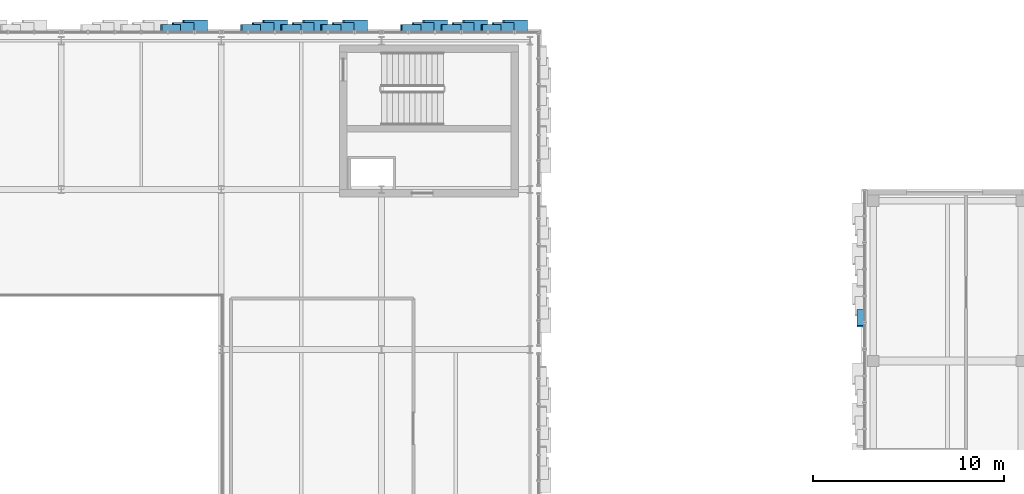
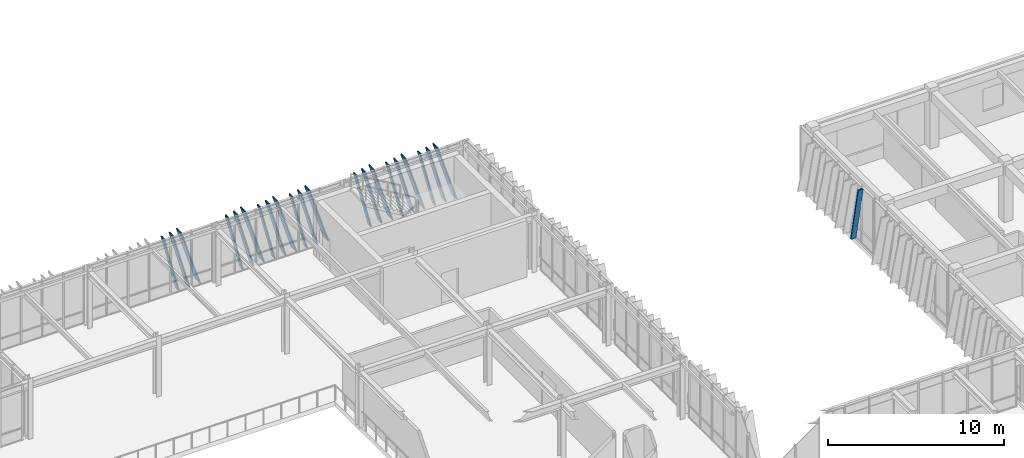
# One storey, part 71 of 127: 22 members, 4 elements without a shape of their own.
"""IFC4 building model written with IfcOpenShell, lengths in metres."""

import ifcopenshell
import ifcopenshell.guid

model = None  # the IFC model being written
_history = None  # IfcOwnerHistory: only IFC2X3 demands one
_inside = {}  # id of a spatial element -> (the spatial element, [elements in it])
_under = {}  # id of a project, library or spatial element -> (it, [spatial elements below it])
_declared = {}  # id of a project -> (the project, [libraries it declares])
_typed = {}  # id of a type object -> (the type object, [elements of that type])
_made_of = {}  # id of a material, layer set ... -> (it, [elements and type objects made of it])


def new_model(schema):
    """Start an empty IFC model of exactly this schema.

    Asked for "IFC4X3", IfcOpenShell would pick the latest addendum, in which some entities
    have other attributes; the version numbers below select the first issue.
    IFC2X3 requires an IfcOwnerHistory on every rooted entity: one is made here for all.
    """
    global model, _history
    if schema == "IFC4X3":
        model = ifcopenshell.file(schema_version=(4, 3, 0, 0))
    else:
        model = ifcopenshell.file(schema=schema)
    _inside.clear()
    _under.clear()
    _declared.clear()
    _typed.clear()
    _made_of.clear()
    _history = None
    if model.schema == "IFC2X3":
        org = make("IfcOrganization", Name="unknown")
        user = make(
            "IfcPersonAndOrganization",
            ThePerson=make("IfcPerson", FamilyName="unknown"),
            TheOrganization=org,
        )
        app = make(
            "IfcApplication",
            ApplicationDeveloper=org,
            Version="unknown",
            ApplicationFullName="unknown",
            ApplicationIdentifier="unknown",
        )
        _history = make(
            "IfcOwnerHistory",
            OwningUser=user,
            OwningApplication=app,
            ChangeAction="ADDED",
            CreationDate=0,
        )
    return model


def make(cls, **values):
    """One entity of the class cls with the attributes given. An attribute that is None is left unset."""
    return model.create_entity(
        cls, **{name: value for name, value in values.items() if value is not None}
    )


def rooted(cls, **values):
    """An entity with a GlobalId (a new one), such as an element, a storey or a relation."""
    return make(cls, GlobalId=ifcopenshell.guid.new(), OwnerHistory=_history, **values)


def si_unit(unit_type, name, prefix=None):
    """IfcSIUnit, for example si_unit("LENGTHUNIT", "METRE", prefix="MILLI")."""
    return make("IfcSIUnit", UnitType=unit_type, Prefix=prefix, Name=name)


def assignment(units):
    """IfcUnitAssignment: the units of a project."""
    return None if units is None else make("IfcUnitAssignment", Units=units)


def point(xyz):
    """IfcCartesianPoint."""
    return None if xyz is None else make("IfcCartesianPoint", Coordinates=xyz)


def direction(xyz):
    """IfcDirection."""
    return None if xyz is None else make("IfcDirection", DirectionRatios=xyz)


def frame(location, z_axis=None, x_axis=None):
    """IfcAxis2Placement3D, a coordinate frame: its origin and axes. An axis left out is left unset."""
    return make(
        "IfcAxis2Placement3D",
        Location=point(location),
        Axis=direction(z_axis),
        RefDirection=direction(x_axis),
    )


def frame_2d(location, x_axis=None):
    """IfcAxis2Placement2D, a coordinate frame in the plane: its origin and x axis."""
    return make(
        "IfcAxis2Placement2D", Location=point(location), RefDirection=direction(x_axis)
    )


def origin():
    """The frame at (0, 0, 0) with its axes left unset."""
    return frame((0.0, 0.0, 0.0))


def origin_2d():
    """The frame at (0, 0) in the plane with its x axis left unset."""
    return frame_2d((0.0, 0.0))


def place(relative_to, where):
    """IfcLocalPlacement: puts the frame where relative to a parent placement (None: the world)."""
    return make(
        "IfcLocalPlacement", PlacementRelTo=relative_to, RelativePlacement=where
    )


def context(
    kind, dimensions, precision=None, world=None, true_north=None, identifier=None
):
    """IfcGeometricRepresentationContext, for example the 3D "Model" context."""
    return make(
        "IfcGeometricRepresentationContext",
        ContextIdentifier=identifier,
        ContextType=kind,
        CoordinateSpaceDimension=dimensions,
        Precision=precision,
        WorldCoordinateSystem=world,
        TrueNorth=true_north,
    )


def subcontext(parent, identifier, kind, view, scale=None):
    """IfcGeometricRepresentationSubContext, for example "Body" below "Model"."""
    return make(
        "IfcGeometricRepresentationSubContext",
        ContextIdentifier=identifier,
        ContextType=kind,
        ParentContext=parent,
        TargetScale=scale,
        TargetView=view,
    )


def project(units=None, contexts=None):
    """IfcProject with its units and contexts."""
    return rooted(
        "IfcProject",
        Name="project",
        RepresentationContexts=contexts,
        UnitsInContext=assignment(units),
    )


def spatial(cls, under=None, at=None, **own):
    """A site, building, storey or space (cls), placed at a placement, below another one or the project."""
    s = rooted(cls, ObjectPlacement=at, **own)
    if under is not None:
        _under.setdefault(under.id(), (under, []))[1].append(s)
    return s


def profile(cls, at=None, kind="AREA", **sizes):
    """A parametric profile (cls). Its sizes go by their IFC names, for example OverallWidth=200.0."""
    return make(cls, ProfileType=kind, Position=at, **sizes)


def hollow_rectangle(**sizes):
    """IfcRectangleHollowProfileDef."""
    return profile("IfcRectangleHollowProfileDef", **sizes)


def extrude(swept, where, along, depth):
    """IfcExtrudedAreaSolid: the profile swept, set in the frame where, extruded along a direction by depth."""
    return make(
        "IfcExtrudedAreaSolid",
        SweptArea=swept,
        Position=where,
        ExtrudedDirection=direction(along),
        Depth=depth,
    )


def shape(context_of_items, identifier, shape_type, items):
    """IfcShapeRepresentation: the items that make up one representation, for example the "Body"."""
    return make(
        "IfcShapeRepresentation",
        ContextOfItems=context_of_items,
        RepresentationIdentifier=identifier,
        RepresentationType=shape_type,
        Items=items,
    )


def material(Name=None, Category=None):
    """IfcMaterial."""
    return make("IfcMaterial", Name=Name, Category=Category)


def layer(
    of_material, thickness, ventilated=None, Name=None, Category=None, Priority=None
):
    """IfcMaterialLayer: one layer of a wall or slab, of a material (None: an air gap)."""
    return make(
        "IfcMaterialLayer",
        Material=of_material,
        LayerThickness=thickness,
        IsVentilated=ventilated,
        Name=Name,
        Category=Category,
        Priority=Priority,
    )


def layer_set(layers, Name=None):
    """IfcMaterialLayerSet."""
    return make("IfcMaterialLayerSet", MaterialLayers=layers, LayerSetName=Name)


def material_profile(
    of_material, cross_section, Name=None, Category=None, Priority=None
):
    """IfcMaterialProfile: a cross section and its material."""
    return make(
        "IfcMaterialProfile",
        Name=Name,
        Material=of_material,
        Profile=cross_section,
        Priority=Priority,
        Category=Category,
    )


def profile_set(profiles, Name=None, composite=None):
    """IfcMaterialProfileSet."""
    return make(
        "IfcMaterialProfileSet",
        Name=Name,
        MaterialProfiles=profiles,
        CompositeProfile=composite,
    )


def made_of(thing, what):
    """Note that an element or type object is made of a material, layer set ...; save() writes the relation."""
    if what is not None:
        _made_of.setdefault(what.id(), (what, []))[1].append(thing)
    return thing


def type_object(cls, material=None, **own):
    """A type object (cls), such as IfcWallType, which elements share."""
    return made_of(rooted(cls, **own), material)


def element(
    cls,
    number,
    at=None,
    inside=None,
    cuts=None,
    type_object=None,
    material=None,
    context=None,
    identifier="Body",
    shape_type=None,
    held_by="IfcProductDefinitionShape",
    body=None,
    shapes=None,
    **own,
):
    """One element of the class cls, such as IfcWall. Its Tag is "e" and its number.

    at: its placement. inside: the storey or other place that contains it. cuts: it is an
    opening in that element (IfcRelVoidsElement). A single representation is given by context,
    identifier, shape_type and body (its items); several are given by shapes. held_by: the class
    of the entity that holds the representations. save() writes the other relations.
    """
    e = rooted(cls, Tag="e%d" % number, ObjectPlacement=at, **own)
    if body is not None:
        shapes = [shape(context, identifier, shape_type, body)]
    if shapes is not None:
        e.Representation = make(held_by, Representations=shapes)
    if inside is not None:
        _inside.setdefault(inside.id(), (inside, []))[1].append(e)
    if cuts is not None:
        rooted(
            "IfcRelVoidsElement", RelatingBuildingElement=cuts, RelatedOpeningElement=e
        )
    if type_object is not None:
        _typed.setdefault(type_object.id(), (type_object, []))[1].append(e)
    return made_of(e, material)


def aggregate(whole, parts):
    """IfcRelAggregates: a whole, such as a stair, and the parts it consists of."""
    return rooted("IfcRelAggregates", RelatingObject=whole, RelatedObjects=parts)


def save(model, path):
    """Write the relations noted so far, then the file.

    IfcRelAggregates (storeys below a building ...), IfcRelContainedInSpatialStructure (elements
    in a storey), IfcRelDefinesByType, IfcRelAssociatesMaterial and IfcRelDeclares: one each for
    every whole, place, type object, material and project.
    """
    for whole, parts in _under.values():
        aggregate(whole, parts)
    for where, things in _inside.values():
        rooted(
            "IfcRelContainedInSpatialStructure",
            RelatedElements=things,
            RelatingStructure=where,
        )
    for kind, things in _typed.values():
        rooted("IfcRelDefinesByType", RelatedObjects=things, RelatingType=kind)
    for what, things in _made_of.values():
        rooted("IfcRelAssociatesMaterial", RelatedObjects=things, RelatingMaterial=what)
    for by, libraries in _declared.values():
        rooted("IfcRelDeclares", RelatingContext=by, RelatedDefinitions=libraries)
    model.write(path)


model = new_model("IFC4")

# Units and contexts
model_context = context("Model", 3, precision=1e-05, world=origin(), true_north=direction((0.0, 1.0)))
body_context = subcontext(model_context, "Body", "Model", "MODEL_VIEW")
ifc_project = project(units=[si_unit("LENGTHUNIT", "METRE"), si_unit("AREAUNIT", "SQUARE_METRE"), si_unit("VOLUMEUNIT", "CUBIC_METRE"), si_unit("PLANEANGLEUNIT", "RADIAN"), si_unit("MASSUNIT", "GRAM", prefix="KILO")], contexts=[model_context])

# Site, building, storey
site_placement = place(None, origin())
site = spatial("IfcSite", under=ifc_project, at=site_placement, CompositionType="ELEMENT")
building_placement = place(site_placement, origin())
building = spatial("IfcBuilding", under=site, at=building_placement, Name="Zayran Congress Hotel", CompositionType="ELEMENT")
storey_placement = place(building_placement, frame((0.0, 0.0, 10.800048828125)))
storey = spatial("IfcBuildingStorey", under=building, at=storey_placement, Name="L02", CompositionType="ELEMENT", Elevation=10.800048828125)

# Curtain wall, member
ifc_material_1 = material(Name="Anodised aluminium and low-E insulated glass", Category="aluminium")
ifc_layer_1 = layer(ifc_material_1, 0.179931640625)
ifc_layer_set_1 = layer_set([ifc_layer_1], Name="Anodised aluminium and low-E insulated glass")
curtain_wall_type_1 = type_object("IfcCurtainWallType", Name="CW-V1N-L02-CW-22-8360-3920", PredefinedType="USERDEFINED", material=ifc_layer_set_1)
curtain_wall_1_placement = place(storey_placement, origin())
curtain_wall_1 = element("IfcCurtainWall", 1, at=curtain_wall_1_placement, inside=storey, type_object=curtain_wall_type_1, Name="CW-V1N-L02-7", ObjectType="CURTAIN WALL", PredefinedType="USERDEFINED")
ifc_material_2 = material(Name="Warm bronze anodised aluminium", Category="aluminium")
ifc_material_profile_1 = material_profile(ifc_material_2, hollow_rectangle(XDim=0.080078125, YDim=0.580078125, WallThickness=0.006103515625, at=origin_2d()), Name="RHS 580x80x6")
ifc_profile_set_1 = profile_set([ifc_material_profile_1], Name="Warm bronze anodised aluminium")
member_type_1 = type_object("IfcMemberType", Name="TP-RFN-01", PredefinedType="MULLION", material=ifc_profile_set_1)
member_1_placement = place(storey_placement, frame((74.830078125, 118.199951171875, 0.0), z_axis=(-0.300736197829, 0.0, 0.953707365661), x_axis=(0.953707365661, 0.0, 0.300736197829)))
member_1 = element("IfcMember", 2, at=member_1_placement, type_object=member_type_1, Name="Slanting Reed Mullion CW-22-01", PredefinedType="MULLION", context=body_context, shape_type="SweptSolid", body=[
    extrude(hollow_rectangle(XDim=0.080078125, YDim=0.580078125, WallThickness=0.006103515625, at=origin_2d()), origin(), (0.0, 0.0, 1.0), 4.110107421875),
])

# Curtain wall, members
ifc_layer_2 = layer(ifc_material_1, 0.179931640625)
ifc_layer_set_2 = layer_set([ifc_layer_2], Name="Anodised aluminium and low-E insulated glass")
curtain_wall_type_2 = type_object("IfcCurtainWallType", Name="CW-V1N-L02-CW-23-8360-3920", PredefinedType="USERDEFINED", material=ifc_layer_set_2)
curtain_wall_2_placement = place(storey_placement, origin())
curtain_wall_2 = element("IfcCurtainWall", 3, at=curtain_wall_2_placement, inside=storey, type_object=curtain_wall_type_2, Name="CW-V1N-L02-8", ObjectType="CURTAIN WALL", PredefinedType="USERDEFINED")
member_2_placement = place(storey_placement, frame((83.22998046875, 118.199951171875, 0.0), z_axis=(-0.300736197829, 0.0, 0.953707365661), x_axis=(0.953707365661, 0.0, 0.300736197829)))
member_2 = element("IfcMember", 4, at=member_2_placement, type_object=member_type_1, Name="Slanting Reed Mullion CW-23-01", PredefinedType="MULLION", context=body_context, shape_type="SweptSolid", body=[
    extrude(hollow_rectangle(XDim=0.080078125, YDim=0.580078125, WallThickness=0.006103515625, at=origin_2d()), origin(), (0.0, 0.0, 1.0), 4.110107421875),
])
member_3_placement = place(storey_placement, frame((81.1298828125, 118.199951171875, 0.0), z_axis=(-0.30068216973, 0.0, 0.953724400866), x_axis=(0.953724400866, 0.0, 0.30068216973)))
member_3 = element("IfcMember", 5, at=member_3_placement, type_object=member_type_1, Name="Slanting Reed Mullion CW-23-04", PredefinedType="MULLION", context=body_context, shape_type="SweptSolid", body=[
    extrude(hollow_rectangle(XDim=0.080078125, YDim=0.580078125, WallThickness=0.006103515625, at=origin_2d()), origin(), (0.0, 0.0, 1.0), 4.110107421875),
])
member_4_placement = place(storey_placement, frame((79.030029296875, 118.199951171875, 0.0), z_axis=(-0.300736197829, 0.0, 0.953707365661), x_axis=(0.953707365661, 0.0, 0.300736197829)))
member_4 = element("IfcMember", 6, at=member_4_placement, type_object=member_type_1, Name="Slanting Reed Mullion CW-23-07", PredefinedType="MULLION", context=body_context, shape_type="SweptSolid", body=[
    extrude(hollow_rectangle(XDim=0.080078125, YDim=0.580078125, WallThickness=0.006103515625, at=origin_2d()), origin(), (0.0, 0.0, 1.0), 4.110107421875),
])

ifc_layer_3 = layer(ifc_material_1, 0.179931640625)
ifc_layer_set_3 = layer_set([ifc_layer_3], Name="Anodised aluminium and low-E insulated glass")
curtain_wall_type_3 = type_object("IfcCurtainWallType", Name="CW-V1N-L02-CW-21-8360-3920", PredefinedType="USERDEFINED", material=ifc_layer_set_3)
curtain_wall_3_placement = place(storey_placement, origin())
curtain_wall_3 = element("IfcCurtainWall", 7, at=curtain_wall_3_placement, inside=storey, type_object=curtain_wall_type_3, Name="CW-V1N-L02-9", ObjectType="CURTAIN WALL", PredefinedType="USERDEFINED")
member_5_placement = place(storey_placement, frame((91.6298828125, 118.199951171875, 0.0), z_axis=(-0.30068216973, 0.0, 0.953724400866), x_axis=(0.953724400866, 0.0, 0.30068216973)))
member_5 = element("IfcMember", 8, at=member_5_placement, type_object=member_type_1, Name="Slanting Reed Mullion CW-21-01", PredefinedType="MULLION", context=body_context, shape_type="SweptSolid", body=[
    extrude(hollow_rectangle(XDim=0.080078125, YDim=0.580078125, WallThickness=0.006103515625, at=origin_2d()), origin(), (0.0, 0.0, 1.0), 4.110107421875),
])
member_6_placement = place(storey_placement, frame((89.530029296875, 118.199951171875, 0.0), z_axis=(-0.300736197829, 0.0, 0.953707365661), x_axis=(0.953707365661, 0.0, 0.300736197829)))
member_6 = element("IfcMember", 9, at=member_6_placement, type_object=member_type_1, Name="Slanting Reed Mullion CW-21-04", PredefinedType="MULLION", context=body_context, shape_type="SweptSolid", body=[
    extrude(hollow_rectangle(XDim=0.080078125, YDim=0.580078125, WallThickness=0.006103515625, at=origin_2d()), origin(), (0.0, 0.0, 1.0), 4.110107421875),
])
member_7_placement = place(storey_placement, frame((87.429931640625, 118.199951171875, 0.0), z_axis=(-0.30068216973, 0.0, 0.953724400866), x_axis=(0.953724400866, 0.0, 0.30068216973)))
member_7 = element("IfcMember", 10, at=member_7_placement, type_object=member_type_1, Name="Slanting Reed Mullion CW-21-07", PredefinedType="MULLION", context=body_context, shape_type="SweptSolid", body=[
    extrude(hollow_rectangle(XDim=0.080078125, YDim=0.580078125, WallThickness=0.006103515625, at=origin_2d()), origin(), (0.0, 0.0, 1.0), 4.110107421875),
])

# Member
ifc_material_profile_2 = material_profile(ifc_material_2, hollow_rectangle(XDim=0.080078125, YDim=0.449951171875, WallThickness=0.006103515625, at=origin_2d()), Name="RHS 450x80x6")
ifc_profile_set_2 = profile_set([ifc_material_profile_2], Name="Warm bronze anodised aluminium")
member_type_2 = type_object("IfcMemberType", Name="TP-RFN-02", PredefinedType="MULLION", material=ifc_profile_set_2)
member_8_placement = place(storey_placement, frame((74.1298828125, 118.135009765625, 0.0), z_axis=(-0.26719808883, 0.0, 0.963641624944), x_axis=(0.963641624944, 0.0, 0.26719808883)))
member_8 = element("IfcMember", 11, at=member_8_placement, type_object=member_type_2, Name="Slanting Reed Mullion CW-22-02", PredefinedType="MULLION", context=body_context, shape_type="SweptSolid", body=[
    extrude(hollow_rectangle(XDim=0.080078125, YDim=0.449951171875, WallThickness=0.006103515625, at=origin_2d()), origin(), (0.0, 0.0, 1.0), 4.06787109375),
])

member_9_placement = place(storey_placement, frame((82.530029296875, 118.135009765625, 0.0), z_axis=(-0.267253820088, 0.0, 0.963626170072), x_axis=(0.963626170072, 0.0, 0.267253820088)))
member_9 = element("IfcMember", 12, at=member_9_placement, type_object=member_type_2, Name="Slanting Reed Mullion CW-23-02", PredefinedType="MULLION", context=body_context, shape_type="SweptSolid", body=[
    extrude(hollow_rectangle(XDim=0.080078125, YDim=0.449951171875, WallThickness=0.006103515625, at=origin_2d()), origin(), (0.0, 0.0, 1.0), 4.06787109375),
])

member_10_placement = place(storey_placement, frame((80.429931640625, 118.135009765625, 0.0), z_axis=(-0.26719808883, 0.0, 0.963641624944), x_axis=(0.963641624944, 0.0, 0.26719808883)))
member_10 = element("IfcMember", 13, at=member_10_placement, type_object=member_type_2, Name="Slanting Reed Mullion CW-23-05", PredefinedType="MULLION", context=body_context, shape_type="SweptSolid", body=[
    extrude(hollow_rectangle(XDim=0.080078125, YDim=0.449951171875, WallThickness=0.006103515625, at=origin_2d()), origin(), (0.0, 0.0, 1.0), 4.06787109375),
])

member_11_placement = place(storey_placement, frame((78.330078125, 118.135009765625, 0.0), z_axis=(-0.267253820088, 0.0, 0.963626170072), x_axis=(0.963626170072, 0.0, 0.267253820088)))
member_11 = element("IfcMember", 14, at=member_11_placement, type_object=member_type_2, Name="Slanting Reed Mullion CW-23-08", PredefinedType="MULLION", context=body_context, shape_type="SweptSolid", body=[
    extrude(hollow_rectangle(XDim=0.080078125, YDim=0.449951171875, WallThickness=0.006103515625, at=origin_2d()), origin(), (0.0, 0.0, 1.0), 4.06787109375),
])

member_12_placement = place(storey_placement, frame((90.929931640625, 118.135009765625, 0.0), z_axis=(-0.26719808883, 0.0, 0.963641624944), x_axis=(0.963641624944, 0.0, 0.26719808883)))
member_12 = element("IfcMember", 15, at=member_12_placement, type_object=member_type_2, Name="Slanting Reed Mullion CW-21-02", PredefinedType="MULLION", context=body_context, shape_type="SweptSolid", body=[
    extrude(hollow_rectangle(XDim=0.080078125, YDim=0.449951171875, WallThickness=0.006103515625, at=origin_2d()), origin(), (0.0, 0.0, 1.0), 4.06787109375),
])

member_13_placement = place(storey_placement, frame((88.830078125, 118.135009765625, 0.0), z_axis=(-0.267253820088, 0.0, 0.963626170072), x_axis=(0.963626170072, 0.0, 0.267253820088)))
member_13 = element("IfcMember", 16, at=member_13_placement, type_object=member_type_2, Name="Slanting Reed Mullion CW-21-05", PredefinedType="MULLION", context=body_context, shape_type="SweptSolid", body=[
    extrude(hollow_rectangle(XDim=0.080078125, YDim=0.449951171875, WallThickness=0.006103515625, at=origin_2d()), origin(), (0.0, 0.0, 1.0), 4.06787109375),
])

member_14_placement = place(storey_placement, frame((86.72998046875, 118.135009765625, 0.0), z_axis=(-0.267253820088, 0.0, 0.963626170072), x_axis=(0.963626170072, 0.0, 0.267253820088)))
member_14 = element("IfcMember", 17, at=member_14_placement, type_object=member_type_2, Name="Slanting Reed Mullion CW-21-08", PredefinedType="MULLION", context=body_context, shape_type="SweptSolid", body=[
    extrude(hollow_rectangle(XDim=0.080078125, YDim=0.449951171875, WallThickness=0.006103515625, at=origin_2d()), origin(), (0.0, 0.0, 1.0), 4.06787109375),
])

ifc_material_profile_3 = material_profile(ifc_material_2, hollow_rectangle(XDim=0.080078125, YDim=0.340087890625, WallThickness=0.006103515625, at=origin_2d()), Name="RHS 340x80x6")
ifc_profile_set_3 = profile_set([ifc_material_profile_3], Name="Warm bronze anodised aluminium")
member_type_3 = type_object("IfcMemberType", Name="TP-RFN-03", PredefinedType="MULLION", material=ifc_profile_set_3)
member_15_placement = place(storey_placement, frame((73.429931640625, 118.080078125, 0.0), z_axis=(-0.241909924035, 0.0, 0.970298711044), x_axis=(0.970298711044, 0.0, 0.241909924035)))
member_15 = element("IfcMember", 18, at=member_15_placement, type_object=member_type_3, Name="Slanting Reed Mullion CW-22-03", PredefinedType="MULLION", context=body_context, shape_type="SweptSolid", body=[
    extrude(hollow_rectangle(XDim=0.080078125, YDim=0.340087890625, WallThickness=0.006103515625, at=origin_2d()), origin(), (0.0, 0.0, 1.0), 4.039794921875),
])

aggregate(curtain_wall_1, [member_1, member_8, member_15])

member_16_placement = place(storey_placement, frame((81.830078125, 118.080078125, 0.0), z_axis=(-0.24196681843, 0.0, 0.970284524652), x_axis=(0.970284524652, 0.0, 0.24196681843)))
member_16 = element("IfcMember", 19, at=member_16_placement, type_object=member_type_3, Name="Slanting Reed Mullion CW-23-03", PredefinedType="MULLION", context=body_context, shape_type="SweptSolid", body=[
    extrude(hollow_rectangle(XDim=0.080078125, YDim=0.340087890625, WallThickness=0.006103515625, at=origin_2d()), origin(), (0.0, 0.0, 1.0), 4.0400390625),
])

member_17_placement = place(storey_placement, frame((79.72998046875, 118.080078125, 0.0), z_axis=(-0.241909924035, 0.0, 0.970298711044), x_axis=(0.970298711044, 0.0, 0.241909924035)))
member_17 = element("IfcMember", 20, at=member_17_placement, type_object=member_type_3, Name="Slanting Reed Mullion CW-23-06", PredefinedType="MULLION", context=body_context, shape_type="SweptSolid", body=[
    extrude(hollow_rectangle(XDim=0.080078125, YDim=0.340087890625, WallThickness=0.006103515625, at=origin_2d()), origin(), (0.0, 0.0, 1.0), 4.039794921875),
])

member_18_placement = place(storey_placement, frame((77.6298828125, 118.080078125, 0.0), z_axis=(-0.241909924035, 0.0, 0.970298711044), x_axis=(0.970298711044, 0.0, 0.241909924035)))
member_18 = element("IfcMember", 21, at=member_18_placement, type_object=member_type_3, Name="Slanting Reed Mullion CW-23-09", PredefinedType="MULLION", context=body_context, shape_type="SweptSolid", body=[
    extrude(hollow_rectangle(XDim=0.080078125, YDim=0.340087890625, WallThickness=0.006103515625, at=origin_2d()), origin(), (0.0, 0.0, 1.0), 4.039794921875),
])

aggregate(curtain_wall_2, [member_2, member_9, member_16, member_3, member_10, member_17, member_4, member_11, member_18])

member_19_placement = place(storey_placement, frame((90.22998046875, 118.080078125, 0.0), z_axis=(-0.241909924035, 0.0, 0.970298711044), x_axis=(0.970298711044, 0.0, 0.241909924035)))
member_19 = element("IfcMember", 22, at=member_19_placement, type_object=member_type_3, Name="Slanting Reed Mullion CW-21-03", PredefinedType="MULLION", context=body_context, shape_type="SweptSolid", body=[
    extrude(hollow_rectangle(XDim=0.080078125, YDim=0.340087890625, WallThickness=0.006103515625, at=origin_2d()), origin(), (0.0, 0.0, 1.0), 4.039794921875),
])

member_20_placement = place(storey_placement, frame((88.1298828125, 118.080078125, 0.0), z_axis=(-0.241909924035, 0.0, 0.970298711044), x_axis=(0.970298711044, 0.0, 0.241909924035)))
member_20 = element("IfcMember", 23, at=member_20_placement, type_object=member_type_3, Name="Slanting Reed Mullion CW-21-06", PredefinedType="MULLION", context=body_context, shape_type="SweptSolid", body=[
    extrude(hollow_rectangle(XDim=0.080078125, YDim=0.340087890625, WallThickness=0.006103515625, at=origin_2d()), origin(), (0.0, 0.0, 1.0), 4.039794921875),
])

member_21_placement = place(storey_placement, frame((86.030029296875, 118.080078125, 0.0), z_axis=(-0.24196681843, 0.0, 0.970284524652), x_axis=(0.970284524652, 0.0, 0.24196681843)))
member_21 = element("IfcMember", 24, at=member_21_placement, type_object=member_type_3, Name="Slanting Reed Mullion CW-21-09", PredefinedType="MULLION", context=body_context, shape_type="SweptSolid", body=[
    extrude(hollow_rectangle(XDim=0.080078125, YDim=0.340087890625, WallThickness=0.006103515625, at=origin_2d()), origin(), (0.0, 0.0, 1.0), 4.0400390625),
])

aggregate(curtain_wall_3, [member_5, member_12, member_19, member_6, member_13, member_20, member_7, member_14, member_21])

# Curtain wall, member
ifc_layer_4 = layer(ifc_material_1, 0.179931640625)
ifc_layer_set_4 = layer_set([ifc_layer_4], Name="Anodised aluminium and low-E insulated glass")
curtain_wall_type_4 = type_object("IfcCurtainWallType", Name="CW-V4W-L02-CW-52-8376-3920", PredefinedType="USERDEFINED", material=ifc_layer_set_4)
curtain_wall_4_placement = place(storey_placement, origin())
curtain_wall_4 = element("IfcCurtainWall", 25, at=curtain_wall_4_placement, inside=storey, type_object=curtain_wall_type_4, Name="CW-V4W-L02-7", ObjectType="CURTAIN WALL", PredefinedType="USERDEFINED")
member_22_placement = place(storey_placement, frame((109.1201171875, 103.25, 0.0), z_axis=(0.0, -0.207922873001, 0.978145223821), x_axis=(0.0, 0.978145223821, 0.207922873001)))
member_22 = element("IfcMember", 26, at=member_22_placement, type_object=member_type_3, Name="Slanting Reed Mullion CW-52-09", PredefinedType="MULLION", context=body_context, shape_type="SweptSolid", body=[
    extrude(hollow_rectangle(XDim=0.080078125, YDim=0.340087890625, WallThickness=0.006103515625, at=origin_2d()), origin(), (0.0, 0.0, 1.0), 4.007568359375),
])
aggregate(curtain_wall_4, [member_22])

save(model, "model.ifc")
